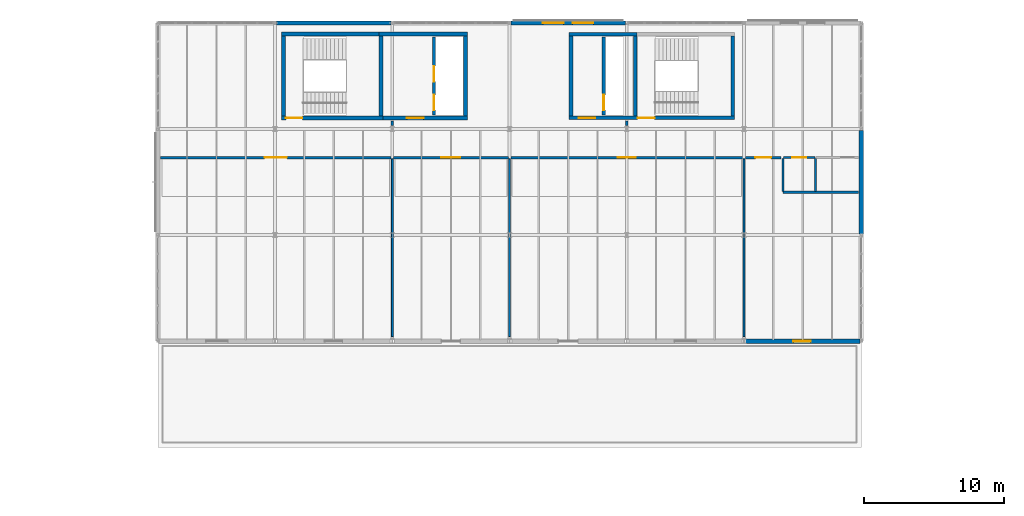
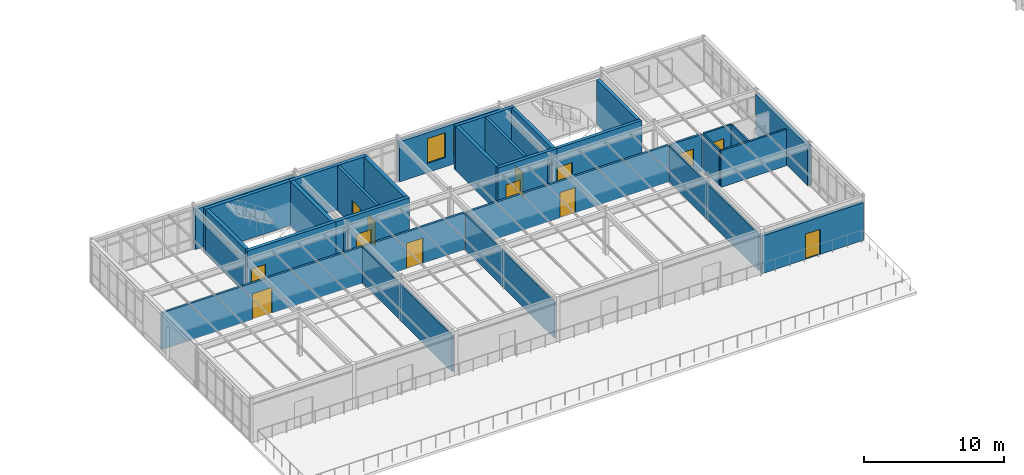
# One storey, part 51 of 65: 32 walls, 13 doors, 2 windows, 15 openings.
"""IFC4 building model written with IfcOpenShell, lengths in metres."""

from ifc_helpers import new_model, si_unit, direction, frame, frame_2d, origin, place, context, subcontext, project, spatial, rectangle, extrude, material, layer, layer_set, type_object, element, fill, save


model = new_model("IFC4")

# Units and contexts
model_context = context("Model", 3, precision=1e-05, world=origin(), true_north=direction((0.0, 1.0)))
body_context = subcontext(model_context, "Body", "Model", "MODEL_VIEW")
ifc_project = project(units=[si_unit("LENGTHUNIT", "METRE"), si_unit("AREAUNIT", "SQUARE_METRE"), si_unit("VOLUMEUNIT", "CUBIC_METRE"), si_unit("PLANEANGLEUNIT", "RADIAN"), si_unit("MASSUNIT", "GRAM", prefix="KILO")], contexts=[model_context])

# Site, building, storey
site_placement = place(None, origin())
site = spatial("IfcSite", under=ifc_project, at=site_placement, CompositionType="ELEMENT")
building_placement = place(site_placement, origin())
building = spatial("IfcBuilding", under=site, at=building_placement, Name="Montecoro Central Library", CompositionType="ELEMENT")
storey_placement = place(building_placement, frame((0.0, 0.0, 17.340087890625)))
storey = spatial("IfcBuildingStorey", under=building, at=storey_placement, Name="L04", CompositionType="ELEMENT", Elevation=17.340087890625)

# Wall, opening, door
ifc_material_1 = material(Name="Roman travertine stone clad concrete C35/45", Category="masonry")
ifc_layer_1 = layer(ifc_material_1, 0.31005859375)
ifc_layer_set_1 = layer_set([ifc_layer_1], Name="Roman travertine stone clad concrete C35/45")
wall_type_1 = type_object("IfcWallType", Name="EW-TRV-310", PredefinedType="SOLIDWALL", material=ifc_layer_set_1)
wall_1_placement = place(storey_placement, frame((108.405029296875, 96.199951171875, 0.0), z_axis=(0.0, 0.0, 1.0), x_axis=(1.0, 0.0, 0.0)))
wall_1 = element("IfcWall", 1, at=wall_1_placement, inside=storey, type_object=wall_type_1, Name="V2-L04-EW-S5", PredefinedType="SOLIDWALL", context=body_context, shape_type="SweptSolid", body=[
    extrude(rectangle(XDim=8.302001953125, YDim=0.31005859375, at=frame_2d((4.15087890625, 0.0))), origin(), (0.0, 0.0, 1.0), 3.27001953125),
])
opening_1_placement = place(wall_1_placement, frame((3.52587890625, 0.0, 0.0)))
opening_1 = element("IfcOpeningElement", 2, at=opening_1_placement, cuts=wall_1, Name="Opening ED-09", PredefinedType="OPENING", context=body_context, shape_type="SweptSolid", body=[
    extrude(rectangle(XDim=1.25, YDim=2.199951171875, at=frame_2d((0.625, 1.10009765625))), frame((0.0, 0.1650390625, 0.0), z_axis=(0.0, -1.0, 0.0), x_axis=(1.0, 0.0, 0.0)), (0.0, 0.0, 1.0), 0.330078125),
])
ifc_material_2 = material(Name="Thermally broken architectural bronze and safety glass", Category="glass")
door_type_1 = type_object("IfcDoorType", Name="ED-TER-125", OperationType="NOTDEFINED", PredefinedType="DOOR", material=ifc_material_2)
door_1_placement = place(opening_1_placement, origin())
door_1 = element("IfcDoor", 3, at=door_1_placement, inside=storey, type_object=door_type_1, Name="V2-L04-TD-S5", OperationType="SINGLE_SWING_LEFT", OverallHeight=2.199951171875, OverallWidth=1.25, PredefinedType="DOOR", context=body_context, shape_type="SweptSolid", body=[
    extrude(rectangle(XDim=1.25, YDim=2.199951171875, at=frame_2d((0.625, 1.10009765625))), frame((0.0, 0.02490234375, 0.0), z_axis=(0.0, -1.0, 0.0), x_axis=(1.0, 0.0, 0.0)), (0.0, 0.0, 1.0), 0.050048828125),
])
fill(opening_1, door_1)

# Wall
wall_2_placement = place(storey_placement, frame((116.800048828125, 103.89306640625, 0.0), z_axis=(0.0, 0.0, 1.0), x_axis=(0.0, 1.0, 0.0)))
element("IfcWall", 4, at=wall_2_placement, inside=storey, type_object=wall_type_1, Name="V2-L04-EW-E1", PredefinedType="SOLIDWALL", context=body_context, shape_type="SweptSolid", body=[
    extrude(rectangle(XDim=7.413818359375, YDim=0.31005859375, at=frame_2d((3.70703125, 0.0))), origin(), (0.0, 0.0, 1.0), 3.47998046875),
])

# Wall, openings, windows
wall_3_placement = place(storey_placement, frame((99.906982421875, 119.0, 0.0), z_axis=(0.0, 0.0, 1.0), x_axis=(-1.0, 0.0, 0.0)))
wall_3 = element("IfcWall", 5, at=wall_3_placement, inside=storey, type_object=wall_type_1, Name="V2-L04-EW-N3", PredefinedType="SOLIDWALL", context=body_context, shape_type="SweptSolid", body=[
    extrude(rectangle(XDim=8.2138671875, YDim=0.31005859375, at=frame_2d((4.10693359375, 0.0))), origin(), (0.0, 0.0, 1.0), 3.47998046875),
])
opening_2_placement = place(wall_3_placement, frame((2.302001953125, 0.0, 0.800048828125)))
opening_2 = element("IfcOpeningElement", 6, at=opening_2_placement, cuts=wall_3, Name="Opening WN-25", PredefinedType="OPENING", context=body_context, shape_type="SweptSolid", body=[
    extrude(rectangle(XDim=1.47998046875, YDim=2.159912109375, at=frame_2d((0.739990234375, 1.080078125))), frame((0.0, 0.1650390625, 0.0), z_axis=(0.0, -1.0, 0.0), x_axis=(1.0, 0.0, 0.0)), (0.0, 0.0, 1.0), 0.330078125),
])
opening_3_placement = place(wall_3_placement, frame((4.431884765625, 0.0, 0.800048828125)))
opening_3 = element("IfcOpeningElement", 7, at=opening_3_placement, cuts=wall_3, Name="Opening WN-25", PredefinedType="OPENING", context=body_context, shape_type="SweptSolid", body=[
    extrude(rectangle(XDim=1.47998046875, YDim=2.159912109375, at=frame_2d((0.739990234375, 1.080078125))), frame((0.0, 0.1650390625, 0.0), z_axis=(0.0, -1.0, 0.0), x_axis=(1.0, 0.0, 0.0)), (0.0, 0.0, 1.0), 0.330078125),
])
ifc_material_3 = material(Name="Laminated low-E double glazing", Category="glass")
window_type = type_object("IfcWindowType", Name="WN-RDG-148", PartitioningType="SINGLE_PANEL", PredefinedType="WINDOW", material=ifc_material_3)
window_1_placement = place(opening_2_placement, origin())
window_1 = element("IfcWindow", 8, at=window_1_placement, inside=storey, type_object=window_type, Name="V2-L04-WN-N3-1", OverallHeight=2.159912109375, OverallWidth=1.47998046875, PartitioningType="SINGLE_PANEL", PredefinedType="WINDOW", context=body_context, shape_type="SweptSolid", body=[
    extrude(rectangle(XDim=1.47998046875, YDim=2.159912109375, at=frame_2d((0.739990234375, 1.080078125))), frame((0.0, 0.030029296875, 0.0), z_axis=(0.0, -1.0, 0.0), x_axis=(1.0, 0.0, 0.0)), (0.0, 0.0, 1.0), 0.06005859375),
])
fill(opening_2, window_1)
window_2_placement = place(opening_3_placement, origin())
window_2 = element("IfcWindow", 9, at=window_2_placement, inside=storey, type_object=window_type, Name="V2-L04-WN-N3-2", OverallHeight=2.159912109375, OverallWidth=1.47998046875, PartitioningType="SINGLE_PANEL", PredefinedType="WINDOW", context=body_context, shape_type="SweptSolid", body=[
    extrude(rectangle(XDim=1.47998046875, YDim=2.159912109375, at=frame_2d((0.739990234375, 1.080078125))), frame((0.0, 0.030029296875, 0.0), z_axis=(0.0, -1.0, 0.0), x_axis=(1.0, 0.0, 0.0)), (0.0, 0.0, 1.0), 0.06005859375),
])
fill(opening_3, window_2)

# Wall
wall_4_placement = place(storey_placement, frame((83.10693359375, 119.0, 0.0), z_axis=(0.0, 0.0, 1.0), x_axis=(-1.0, 0.0, 0.0)))
element("IfcWall", 10, at=wall_4_placement, inside=storey, type_object=wall_type_1, Name="V2-L04-EW-N1", PredefinedType="SOLIDWALL", context=body_context, shape_type="SweptSolid", body=[
    extrude(rectangle(XDim=8.2138671875, YDim=0.31005859375, at=frame_2d((4.10693359375, 0.0))), origin(), (0.0, 0.0, 1.0), 3.47998046875),
])

# Wall, opening, door
ifc_material_4 = material(Name="Gypsum fire-rated partition")
ifc_layer_2 = layer(ifc_material_4, 0.179931640625)
ifc_layer_set_2 = layer_set([ifc_layer_2], Name="Gypsum fire-rated partition")
wall_type_2 = type_object("IfcWallType", Name="IW-COR-180", PredefinedType="PARTITIONING", material=ifc_layer_set_2)
wall_5_placement = place(storey_placement, frame((66.60009765625, 109.35009765625, 0.0), z_axis=(0.0, 0.0, 1.0), x_axis=(1.0, 0.0, 0.0)))
wall_5 = element("IfcWall", 11, at=wall_5_placement, inside=storey, type_object=wall_type_2, Name="CORW-V2-L04-01", PredefinedType="PARTITIONING", context=body_context, shape_type="SweptSolid", body=[
    extrude(rectangle(XDim=16.510009765625, YDim=0.179931640625, at=frame_2d((8.2548828125, 0.0))), origin(), (0.0, 0.0, 1.0), 3.179931640625),
])
opening_4_placement = place(wall_5_placement, frame((7.455078125, 0.0, 0.0)))
opening_4 = element("IfcOpeningElement", 12, at=opening_4_placement, cuts=wall_5, Name="Opening ID-06", PredefinedType="OPENING", context=body_context, shape_type="SweptSolid", body=[
    extrude(rectangle(XDim=1.60009765625, YDim=2.25, at=frame_2d((0.800048828125, 1.125))), frame((0.0, 0.099853515625, 0.0), z_axis=(0.0, -1.0, 0.0), x_axis=(1.0, 0.0, 0.0)), (0.0, 0.0, 1.0), 0.199951171875),
])
ifc_material_5 = material(Name="Solid oak and fire-rated steel door", Category="steel")
door_type_2 = type_object("IfcDoorType", Name="ID-COR-160", OperationType="NOTDEFINED", PredefinedType="DOOR", material=ifc_material_5)
door_2_placement = place(opening_4_placement, origin())
door_2 = element("IfcDoor", 13, at=door_2_placement, inside=storey, type_object=door_type_2, Name="DR-SP-V2-L04-R1P1", OperationType="DOUBLE_DOOR_SINGLE_SWING", OverallHeight=2.25, OverallWidth=1.60009765625, PredefinedType="DOOR", context=body_context, shape_type="SweptSolid", body=[
    extrude(rectangle(XDim=1.60009765625, YDim=2.25, at=frame_2d((0.800048828125, 1.125))), frame((0.0, 0.02490234375, 0.0), z_axis=(0.0, -1.0, 0.0), x_axis=(1.0, 0.0, 0.0)), (0.0, 0.0, 1.0), 0.050048828125),
])
fill(opening_4, door_2)

wall_6_placement = place(storey_placement, frame((83.2900390625, 109.35009765625, 0.0), z_axis=(0.0, 0.0, 1.0), x_axis=(1.0, 0.0, 0.0)))
wall_6 = element("IfcWall", 14, at=wall_6_placement, inside=storey, type_object=wall_type_2, Name="CORW-V2-L04-02", PredefinedType="PARTITIONING", context=body_context, shape_type="SweptSolid", body=[
    extrude(rectangle(XDim=8.219970703125, YDim=0.179931640625, at=frame_2d((4.10986328125, 0.0))), origin(), (0.0, 0.0, 1.0), 3.179931640625),
])
opening_5_placement = place(wall_6_placement, frame((3.429931640625, 0.0, 0.0)))
opening_5 = element("IfcOpeningElement", 15, at=opening_5_placement, cuts=wall_6, Name="Opening ID-05", PredefinedType="OPENING", context=body_context, shape_type="SweptSolid", body=[
    extrude(rectangle(XDim=1.360107421875, YDim=2.199951171875, at=frame_2d((0.68017578125, 1.10009765625))), frame((0.0, 0.099853515625, 0.0), z_axis=(0.0, -1.0, 0.0), x_axis=(1.0, 0.0, 0.0)), (0.0, 0.0, 1.0), 0.199951171875),
])
door_type_3 = type_object("IfcDoorType", Name="ID-VLT-136", OperationType="NOTDEFINED", PredefinedType="DOOR", material=ifc_material_5)
door_3_placement = place(opening_5_placement, origin())
door_3 = element("IfcDoor", 16, at=door_3_placement, inside=storey, type_object=door_type_3, Name="DR-SP-V2-L04-R2P1", OperationType="SINGLE_SWING_LEFT", OverallHeight=2.199951171875, OverallWidth=1.360107421875, PredefinedType="DOOR", context=body_context, shape_type="SweptSolid", body=[
    extrude(rectangle(XDim=1.360107421875, YDim=2.199951171875, at=frame_2d((0.68017578125, 1.10009765625))), frame((0.0, 0.02490234375, 0.0), z_axis=(0.0, -1.0, 0.0), x_axis=(1.0, 0.0, 0.0)), (0.0, 0.0, 1.0), 0.050048828125),
])
fill(opening_5, door_3)

wall_7_placement = place(storey_placement, frame((91.68994140625, 109.35009765625, 0.0), z_axis=(0.0, 0.0, 1.0), x_axis=(1.0, 0.0, 0.0)))
wall_7 = element("IfcWall", 17, at=wall_7_placement, inside=storey, type_object=wall_type_2, Name="CORW-V2-L04-03", PredefinedType="PARTITIONING", context=body_context, shape_type="SweptSolid", body=[
    extrude(rectangle(XDim=16.6201171875, YDim=0.179931640625, at=frame_2d((8.31005859375, 0.0))), origin(), (0.0, 0.0, 1.0), 3.179931640625),
])
opening_6_placement = place(wall_7_placement, frame((7.679931640625, 0.0, 0.0)))
opening_6 = element("IfcOpeningElement", 18, at=opening_6_placement, cuts=wall_7, Name="Opening ID-09", PredefinedType="OPENING", context=body_context, shape_type="SweptSolid", body=[
    extrude(rectangle(XDim=1.260009765625, YDim=2.199951171875, at=frame_2d((0.6298828125, 1.10009765625))), frame((0.0, 0.099853515625, 0.0), z_axis=(0.0, -1.0, 0.0), x_axis=(1.0, 0.0, 0.0)), (0.0, 0.0, 1.0), 0.199951171875),
])
door_type_4 = type_object("IfcDoorType", Name="ID-RDG-126", OperationType="NOTDEFINED", PredefinedType="DOOR", material=ifc_material_5)
door_4_placement = place(opening_6_placement, origin())
door_4 = element("IfcDoor", 19, at=door_4_placement, inside=storey, type_object=door_type_4, Name="DR-SP-V2-L04-R3P1", OperationType="SINGLE_SWING_RIGHT", OverallHeight=2.199951171875, OverallWidth=1.260009765625, PredefinedType="DOOR", context=body_context, shape_type="SweptSolid", body=[
    extrude(rectangle(XDim=1.260009765625, YDim=2.199951171875, at=frame_2d((0.6298828125, 1.10009765625))), frame((0.0, 0.02490234375, 0.0), z_axis=(0.0, -1.0, 0.0), x_axis=(1.0, 0.0, 0.0)), (0.0, 0.0, 1.0), 0.050048828125),
])
fill(opening_6, door_4)

wall_8_placement = place(storey_placement, frame((108.489990234375, 109.35009765625, 0.0), z_axis=(0.0, 0.0, 1.0), x_axis=(1.0, 0.0, 0.0)))
wall_8 = element("IfcWall", 20, at=wall_8_placement, inside=storey, type_object=wall_type_2, Name="CORW-V2-L04-04", PredefinedType="PARTITIONING", context=body_context, shape_type="SweptSolid", body=[
    extrude(rectangle(XDim=2.570068359375, YDim=0.179931640625, at=frame_2d((1.28515625, 0.0))), origin(), (0.0, 0.0, 1.0), 3.179931640625),
])
opening_7_placement = place(wall_8_placement, frame((0.72509765625, 0.0, 0.0)))
opening_7 = element("IfcOpeningElement", 21, at=opening_7_placement, cuts=wall_8, Name="Opening ID-12", PredefinedType="OPENING", context=body_context, shape_type="SweptSolid", body=[
    extrude(rectangle(XDim=1.1201171875, YDim=2.14990234375, at=frame_2d((0.56005859375, 1.074951171875))), frame((0.0, 0.099853515625, 0.0), z_axis=(0.0, -1.0, 0.0), x_axis=(1.0, 0.0, 0.0)), (0.0, 0.0, 1.0), 0.199951171875),
])
door_type_5 = type_object("IfcDoorType", Name="ID-RM-112", OperationType="NOTDEFINED", PredefinedType="DOOR", material=ifc_material_5)
door_5_placement = place(opening_7_placement, origin())
door_5 = element("IfcDoor", 22, at=door_5_placement, inside=storey, type_object=door_type_5, Name="DR-SP-V2-L04-R4P1", OperationType="SINGLE_SWING_LEFT", OverallHeight=2.14990234375, OverallWidth=1.1201171875, PredefinedType="DOOR", context=body_context, shape_type="SweptSolid", body=[
    extrude(rectangle(XDim=1.1201171875, YDim=2.14990234375, at=frame_2d((0.56005859375, 1.074951171875))), frame((0.0, 0.02490234375, 0.0), z_axis=(0.0, -1.0, 0.0), x_axis=(1.0, 0.0, 0.0)), (0.0, 0.0, 1.0), 0.050048828125),
])
fill(opening_7, door_5)

# Walls
for number, where, z_axis, x_axis, name in (
    (23, (83.199951171875, 111.639892578125, 0.0), (0.0, 0.0, 1.0), (0.0, 1.0, 0.0), "PIL-V2-L04-1"),
    (24, (100.0, 111.639892578125, 0.0), (0.0, 0.0, 1.0), (0.0, 1.0, 0.0), "PIL-V2-L04-2"),
):
    element("IfcWall", number, at=place(storey_placement, frame(where, z_axis=z_axis, x_axis=x_axis)), inside=storey, type_object=wall_type_2, Name=name, PredefinedType="PARTITIONING", context=body_context, shape_type="SweptSolid", body=[
        extrude(rectangle(XDim=0.320068359375, YDim=0.179931640625, at=frame_2d((0.16015625, 0.0))), origin(), (0.0, 0.0, 1.0), 3.179931640625),
    ])

# Wall, openings, doors
ifc_material_6 = material(Name="Concrete C32/40", Category="concrete")
ifc_layer_3 = layer(ifc_material_6, 0.219970703125)
ifc_layer_set_3 = layer_set([ifc_layer_3], Name="Concrete C32/40")
wall_type_3 = type_object("IfcWallType", Name="IW-FFL-220", PredefinedType="SOLIDWALL", material=ifc_layer_set_3)
wall_9_placement = place(storey_placement, frame((86.199951171875, 112.39990234375, 0.0), z_axis=(0.0, 0.0, 1.0), x_axis=(0.0, 1.0, 0.0)))
wall_9 = element("IfcWall", 25, at=wall_9_placement, inside=storey, type_object=wall_type_3, Name="C2-L04-WLSH", PredefinedType="SOLIDWALL", context=body_context, shape_type="SweptSolid", body=[
    extrude(rectangle(XDim=5.60009765625, YDim=0.219970703125, at=frame_2d((2.800048828125, 0.0))), origin(), (0.0, 0.0, 1.0), 3.844970703125),
])
opening_8_placement = place(wall_9_placement, frame((0.35009765625, 0.0, 0.0)))
opening_8 = element("IfcOpeningElement", 26, at=opening_8_placement, cuts=wall_9, Name="Opening LD-01", PredefinedType="OPENING", context=body_context, shape_type="SweptSolid", body=[
    extrude(rectangle(XDim=1.10009765625, YDim=2.14990234375, at=frame_2d((0.550048828125, 1.074951171875))), frame((0.0, 0.119873046875, 0.0), z_axis=(0.0, -1.0, 0.0), x_axis=(1.0, 0.0, 0.0)), (0.0, 0.0, 1.0), 0.239990234375),
])
opening_9_placement = place(wall_9_placement, frame((2.39990234375, 0.0, 0.0)))
opening_9 = element("IfcOpeningElement", 27, at=opening_9_placement, cuts=wall_9, Name="Opening LD-01", PredefinedType="OPENING", context=body_context, shape_type="SweptSolid", body=[
    extrude(rectangle(XDim=1.10009765625, YDim=2.14990234375, at=frame_2d((0.550048828125, 1.074951171875))), frame((0.0, 0.119873046875, 0.0), z_axis=(0.0, -1.0, 0.0), x_axis=(1.0, 0.0, 0.0)), (0.0, 0.0, 1.0), 0.239990234375),
])
door_type_6 = type_object("IfcDoorType", Name="LD-LIFT-110", OperationType="NOTDEFINED", PredefinedType="DOOR", material=ifc_material_5)
door_6_placement = place(opening_8_placement, origin())
door_6 = element("IfcDoor", 28, at=door_6_placement, inside=storey, type_object=door_type_6, Name="C2-L04-LD-PL-02", OperationType="SLIDING_TO_LEFT", OverallHeight=2.14990234375, OverallWidth=1.10009765625, PredefinedType="DOOR", context=body_context, shape_type="SweptSolid", body=[
    extrude(rectangle(XDim=1.10009765625, YDim=2.14990234375, at=frame_2d((0.550048828125, 1.074951171875))), frame((0.0, 0.02490234375, 0.0), z_axis=(0.0, -1.0, 0.0), x_axis=(1.0, 0.0, 0.0)), (0.0, 0.0, 1.0), 0.050048828125),
])
fill(opening_8, door_6)
door_7_placement = place(opening_9_placement, origin())
door_7 = element("IfcDoor", 29, at=door_7_placement, inside=storey, type_object=door_type_6, Name="C2-L04-LD-FFL-01", OperationType="SLIDING_TO_LEFT", OverallHeight=2.14990234375, OverallWidth=1.10009765625, PredefinedType="DOOR", context=body_context, shape_type="SweptSolid", body=[
    extrude(rectangle(XDim=1.10009765625, YDim=2.14990234375, at=frame_2d((0.550048828125, 1.074951171875))), frame((0.0, 0.02490234375, 0.0), z_axis=(0.0, -1.0, 0.0), x_axis=(1.0, 0.0, 0.0)), (0.0, 0.0, 1.0), 0.050048828125),
])
fill(opening_9, door_7)

# Wall, opening, door
wall_10_placement = place(storey_placement, frame((98.35009765625, 112.39990234375, 0.0), z_axis=(0.0, 0.0, 1.0), x_axis=(0.0, 1.0, 0.0)))
wall_10 = element("IfcWall", 30, at=wall_10_placement, inside=storey, type_object=wall_type_3, Name="C3-L04-WLSH", PredefinedType="SOLIDWALL", context=body_context, shape_type="SweptSolid", body=[
    extrude(rectangle(XDim=5.60009765625, YDim=0.219970703125, at=frame_2d((2.800048828125, 0.0))), origin(), (0.0, 0.0, 1.0), 3.844970703125),
])
opening_10_placement = place(wall_10_placement, frame((0.35009765625, 0.0, 0.0)))
opening_10 = element("IfcOpeningElement", 31, at=opening_10_placement, cuts=wall_10, Name="Opening LD-01", PredefinedType="OPENING", context=body_context, shape_type="SweptSolid", body=[
    extrude(rectangle(XDim=1.10009765625, YDim=2.14990234375, at=frame_2d((0.550048828125, 1.074951171875))), frame((0.0, 0.119873046875, 0.0), z_axis=(0.0, -1.0, 0.0), x_axis=(1.0, 0.0, 0.0)), (0.0, 0.0, 1.0), 0.239990234375),
])
door_8_placement = place(opening_10_placement, origin())
door_8 = element("IfcDoor", 32, at=door_8_placement, inside=storey, type_object=door_type_6, Name="C3-L04-LD-PL-03", OperationType="SLIDING_TO_LEFT", OverallHeight=2.14990234375, OverallWidth=1.10009765625, PredefinedType="DOOR", context=body_context, shape_type="SweptSolid", body=[
    extrude(rectangle(XDim=1.10009765625, YDim=2.14990234375, at=frame_2d((0.550048828125, 1.074951171875))), frame((0.0, 0.02490234375, 0.0), z_axis=(0.0, -1.0, 0.0), x_axis=(1.0, 0.0, 0.0)), (0.0, 0.0, 1.0), 0.050048828125),
])
fill(opening_10, door_8)

# Walls
ifc_material_7 = material(Name="Gypsum metal-stud partition")
ifc_layer_4 = layer(ifc_material_7, 0.1201171875)
ifc_layer_set_4 = layer_set([ifc_layer_4], Name="Gypsum metal-stud partition")
wall_type_4 = type_object("IfcWallType", Name="IW-PRT-120", PredefinedType="PARTITIONING", material=ifc_layer_set_4)
wall_11_placement = place(storey_placement, frame((91.60009765625, 96.52001953125, 0.0), z_axis=(0.0, 0.0, 1.0), x_axis=(0.0, 1.0, 0.0)))
element("IfcWall", 33, at=wall_11_placement, inside=storey, type_object=wall_type_4, Name="DIVW-V2-L04-02-1", PredefinedType="PARTITIONING", context=body_context, shape_type="SweptSolid", body=[
    extrude(rectangle(XDim=12.739990234375, YDim=0.1201171875, at=frame_2d((6.3701171875, 0.0))), origin(), (0.0, 0.0, 1.0), 3.179931640625),
])
ifc_layer_5 = layer(ifc_material_7, 0.139892578125)
ifc_layer_set_5 = layer_set([ifc_layer_5], Name="Gypsum metal-stud partition")
wall_type_5 = type_object("IfcWallType", Name="IW-PRT-140", PredefinedType="PARTITIONING", material=ifc_layer_set_5)
for number, where, z_axis, x_axis, name in (
    (34, (83.199951171875, 96.52001953125, 0.0), (0.0, 0.0, 1.0), (0.0, 1.0, 0.0), "DIVW-V2-L04-01-1"),
    (35, (108.39990234375, 96.52001953125, 0.0), (0.0, 0.0, 1.0), (0.0, 1.0, 0.0), "DIVW-V2-L04-03-1"),
):
    element("IfcWall", number, at=place(storey_placement, frame(where, z_axis=z_axis, x_axis=x_axis)), inside=storey, type_object=wall_type_5, Name=name, PredefinedType="PARTITIONING", context=body_context, shape_type="SweptSolid", body=[
        extrude(rectangle(XDim=12.739990234375, YDim=0.139892578125, at=frame_2d((6.3701171875, 0.0))), origin(), (0.0, 0.0, 1.0), 3.179931640625),
    ])

# Wall, opening, door
ifc_material_8 = material(Name="Concrete C35/45", Category="concrete")
ifc_layer_6 = layer(ifc_material_8, 0.260009765625)
ifc_layer_set_6 = layer_set([ifc_layer_6], Name="Concrete C35/45")
wall_type_6 = type_object("IfcWallType", Name="IW-SHR-260", PredefinedType="SHEAR", material=ifc_layer_set_6)
wall_12_placement = place(storey_placement, frame((95.8701171875, 112.199951171875, 0.0), z_axis=(0.0, 0.0, 1.0), x_axis=(1.0, 0.0, 0.0)))
wall_12 = element("IfcWall", 36, at=wall_12_placement, inside=storey, type_object=wall_type_6, Name="C3-L04-LWS", PredefinedType="SHEAR", context=body_context, shape_type="SweptSolid", body=[
    extrude(rectangle(XDim=4.85986328125, YDim=0.260009765625, at=frame_2d((2.429931640625, 0.0))), origin(), (0.0, 0.0, 1.0), 3.844970703125),
])
opening_11_placement = place(wall_12_placement, frame((0.679931640625, 0.0, 0.0)))
opening_11 = element("IfcOpeningElement", 37, at=opening_11_placement, cuts=wall_12, Name="Opening ID-03", PredefinedType="OPENING", context=body_context, shape_type="SweptSolid", body=[
    extrude(rectangle(XDim=1.199951171875, YDim=2.159912109375, at=frame_2d((0.60009765625, 1.080078125))), frame((0.0, 0.139892578125, 0.0), z_axis=(0.0, -1.0, 0.0), x_axis=(1.0, 0.0, 0.0)), (0.0, 0.0, 1.0), 0.280029296875),
])
door_type_7 = type_object("IfcDoorType", Name="ID-FFL-120", OperationType="NOTDEFINED", PredefinedType="DOOR", material=ifc_material_5)
door_9_placement = place(opening_11_placement, origin())
door_9 = element("IfcDoor", 38, at=door_9_placement, inside=storey, type_object=door_type_7, Name="C3-L04-DLOB", OperationType="SINGLE_SWING_LEFT", OverallHeight=2.159912109375, OverallWidth=1.199951171875, PredefinedType="DOOR", context=body_context, shape_type="SweptSolid", body=[
    extrude(rectangle(XDim=1.199951171875, YDim=2.159912109375, at=frame_2d((0.60009765625, 1.080078125))), frame((0.0, 0.02490234375, 0.0), z_axis=(0.0, -1.0, 0.0), x_axis=(1.0, 0.0, 0.0)), (0.0, 0.0, 1.0), 0.050048828125),
])
fill(opening_11, door_9)

# Walls
wall_13_placement = place(storey_placement, frame((100.72998046875, 118.199951171875, 0.0), z_axis=(0.0, 0.0, 1.0), x_axis=(-1.0, 0.0, 0.0)))
element("IfcWall", 39, at=wall_13_placement, inside=storey, type_object=wall_type_6, Name="C3-L04-LWN", PredefinedType="SHEAR", context=body_context, shape_type="SweptSolid", body=[
    extrude(rectangle(XDim=4.85986328125, YDim=0.260009765625, at=frame_2d((2.429931640625, 0.0))), origin(), (0.0, 0.0, 1.0), 3.844970703125),
])
wall_14_placement = place(storey_placement, frame((96.0, 118.070068359375, 0.0), z_axis=(0.0, 0.0, 1.0), x_axis=(0.0, -1.0, 0.0)))
element("IfcWall", 40, at=wall_14_placement, inside=storey, type_object=wall_type_6, Name="C3-L04-LWW", PredefinedType="SHEAR", context=body_context, shape_type="SweptSolid", body=[
    extrude(rectangle(XDim=5.739990234375, YDim=0.260009765625, at=frame_2d((2.8701171875, 0.0))), origin(), (0.0, 0.0, 1.0), 3.844970703125),
])

# Wall, opening, door
wall_15_placement = place(storey_placement, frame((100.469970703125, 112.199951171875, 0.0), z_axis=(0.0, 0.0, 1.0), x_axis=(1.0, 0.0, 0.0)))
wall_15 = element("IfcWall", 41, at=wall_15_placement, inside=storey, type_object=wall_type_6, Name="C3-L04-WS", PredefinedType="SHEAR", context=body_context, shape_type="SweptSolid", body=[
    extrude(rectangle(XDim=7.260009765625, YDim=0.260009765625, at=frame_2d((3.6298828125, 0.0))), origin(), (0.0, 0.0, 1.0), 3.844970703125),
])
opening_12_placement = place(wall_15_placement, frame((0.31005859375, 0.0, 0.0)))
opening_12 = element("IfcOpeningElement", 42, at=opening_12_placement, cuts=wall_15, Name="Opening ID-01", PredefinedType="OPENING", context=body_context, shape_type="SweptSolid", body=[
    extrude(rectangle(XDim=1.219970703125, YDim=2.179931640625, at=frame_2d((0.60986328125, 1.08984375))), frame((0.0, 0.139892578125, 0.0), z_axis=(0.0, -1.0, 0.0), x_axis=(1.0, 0.0, 0.0)), (0.0, 0.0, 1.0), 0.280029296875),
])
door_type_8 = type_object("IfcDoorType", Name="ID-STR-140", OperationType="NOTDEFINED", PredefinedType="DOOR", material=ifc_material_5)
door_10_placement = place(opening_12_placement, origin())
door_10 = element("IfcDoor", 43, at=door_10_placement, inside=storey, type_object=door_type_8, Name="C3-L04-DSTR", OperationType="SINGLE_SWING_RIGHT", OverallHeight=2.179931640625, OverallWidth=1.219970703125, PredefinedType="DOOR", context=body_context, shape_type="SweptSolid", body=[
    extrude(rectangle(XDim=1.219970703125, YDim=2.179931640625, at=frame_2d((0.60986328125, 1.08984375))), frame((0.0, 0.02490234375, 0.0), z_axis=(0.0, -1.0, 0.0), x_axis=(1.0, 0.0, 0.0)), (0.0, 0.0, 1.0), 0.050048828125),
])
fill(opening_12, door_10)

# Walls
for number, where, z_axis, x_axis, name in (
    (44, (100.60009765625, 112.330078125, 0.0), (0.0, 0.0, 1.0), (0.0, 1.0, 0.0), "C3-L04-WW"),
    (45, (107.60009765625, 112.330078125, 0.0), (0.0, 0.0, 1.0), (0.0, 1.0, 0.0), "C3-L04-WE"),
):
    element("IfcWall", number, at=place(storey_placement, frame(where, z_axis=z_axis, x_axis=x_axis)), inside=storey, type_object=wall_type_6, Name=name, PredefinedType="SHEAR", context=body_context, shape_type="SweptSolid", body=[
        extrude(rectangle(XDim=5.739990234375, YDim=0.260009765625, at=frame_2d((2.8701171875, 0.0))), origin(), (0.0, 0.0, 1.0), 3.844970703125),
    ])

# Wall, opening, door
ifc_layer_7 = layer(ifc_material_8, 0.280029296875)
ifc_layer_set_7 = layer_set([ifc_layer_7], Name="Concrete C35/45")
wall_type_7 = type_object("IfcWallType", Name="IW-SHR-280", PredefinedType="SHEAR", material=ifc_layer_set_7)
wall_16_placement = place(storey_placement, frame((82.260009765625, 112.199951171875, 0.0), z_axis=(0.0, 0.0, 1.0), x_axis=(1.0, 0.0, 0.0)))
wall_16 = element("IfcWall", 46, at=wall_16_placement, inside=storey, type_object=wall_type_7, Name="C2-L04-LWS", PredefinedType="SHEAR", context=body_context, shape_type="SweptSolid", body=[
    extrude(rectangle(XDim=6.330078125, YDim=0.280029296875, at=frame_2d((3.1650390625, 0.0))), origin(), (0.0, 0.0, 1.0), 3.844970703125),
])
opening_13_placement = place(wall_16_placement, frame((1.989990234375, 0.0, 0.0)))
opening_13 = element("IfcOpeningElement", 47, at=opening_13_placement, cuts=wall_16, Name="Opening ID-03", PredefinedType="OPENING", context=body_context, shape_type="SweptSolid", body=[
    extrude(rectangle(XDim=1.199951171875, YDim=2.159912109375, at=frame_2d((0.60009765625, 1.080078125))), frame((0.0, 0.14990234375, 0.0), z_axis=(0.0, -1.0, 0.0), x_axis=(1.0, 0.0, 0.0)), (0.0, 0.0, 1.0), 0.300048828125),
])
door_11_placement = place(opening_13_placement, origin())
door_11 = element("IfcDoor", 48, at=door_11_placement, inside=storey, type_object=door_type_7, Name="C2-L04-DLOB", OperationType="SINGLE_SWING_LEFT", OverallHeight=2.159912109375, OverallWidth=1.199951171875, PredefinedType="DOOR", context=body_context, shape_type="SweptSolid", body=[
    extrude(rectangle(XDim=1.199951171875, YDim=2.159912109375, at=frame_2d((0.60009765625, 1.080078125))), frame((0.0, 0.02490234375, 0.0), z_axis=(0.0, -1.0, 0.0), x_axis=(1.0, 0.0, 0.0)), (0.0, 0.0, 1.0), 0.050048828125),
])
fill(opening_13, door_11)

# Walls
wall_17_placement = place(storey_placement, frame((88.590087890625, 118.199951171875, 0.0), z_axis=(0.0, 0.0, 1.0), x_axis=(-1.0, 0.0, 0.0)))
element("IfcWall", 49, at=wall_17_placement, inside=storey, type_object=wall_type_7, Name="C2-L04-LWN", PredefinedType="SHEAR", context=body_context, shape_type="SweptSolid", body=[
    extrude(rectangle(XDim=6.330078125, YDim=0.280029296875, at=frame_2d((3.1650390625, 0.0))), origin(), (0.0, 0.0, 1.0), 3.844970703125),
])
wall_18_placement = place(storey_placement, frame((88.449951171875, 112.340087890625, 0.0), z_axis=(0.0, 0.0, 1.0), x_axis=(0.0, 1.0, 0.0)))
element("IfcWall", 50, at=wall_18_placement, inside=storey, type_object=wall_type_7, Name="C2-L04-LWE", PredefinedType="SHEAR", context=body_context, shape_type="SweptSolid", body=[
    extrude(rectangle(XDim=5.719970703125, YDim=0.280029296875, at=frame_2d((2.85986328125, 0.0))), origin(), (0.0, 0.0, 1.0), 3.844970703125),
])

# Wall, opening, door
wall_19_placement = place(storey_placement, frame((75.260009765625, 112.199951171875, 0.0), z_axis=(0.0, 0.0, 1.0), x_axis=(1.0, 0.0, 0.0)))
wall_19 = element("IfcWall", 51, at=wall_19_placement, inside=storey, type_object=wall_type_7, Name="C2-L04-WS", PredefinedType="SHEAR", context=body_context, shape_type="SweptSolid", body=[
    extrude(rectangle(XDim=7.280029296875, YDim=0.280029296875, at=frame_2d((3.64013671875, 0.0))), origin(), (0.0, 0.0, 1.0), 3.844970703125),
])
opening_14_placement = place(wall_19_placement, frame((0.320068359375, 0.0, 0.0)))
opening_14 = element("IfcOpeningElement", 52, at=opening_14_placement, cuts=wall_19, Name="Opening ID-02", PredefinedType="OPENING", context=body_context, shape_type="SweptSolid", body=[
    extrude(rectangle(XDim=1.179931640625, YDim=2.179931640625, at=frame_2d((0.58984375, 1.08984375))), frame((0.0, 0.14990234375, 0.0), z_axis=(0.0, -1.0, 0.0), x_axis=(1.0, 0.0, 0.0)), (0.0, 0.0, 1.0), 0.300048828125),
])
door_type_9 = type_object("IfcDoorType", Name="ID-STR-135", OperationType="NOTDEFINED", PredefinedType="DOOR", material=ifc_material_5)
door_12_placement = place(opening_14_placement, origin())
door_12 = element("IfcDoor", 53, at=door_12_placement, inside=storey, type_object=door_type_9, Name="C2-L04-DSTR", OperationType="SINGLE_SWING_RIGHT", OverallHeight=2.179931640625, OverallWidth=1.179931640625, PredefinedType="DOOR", context=body_context, shape_type="SweptSolid", body=[
    extrude(rectangle(XDim=1.179931640625, YDim=2.179931640625, at=frame_2d((0.58984375, 1.08984375))), frame((0.0, 0.02490234375, 0.0), z_axis=(0.0, -1.0, 0.0), x_axis=(1.0, 0.0, 0.0)), (0.0, 0.0, 1.0), 0.050048828125),
])
fill(opening_14, door_12)

# Walls
wall_20_placement = place(storey_placement, frame((75.260009765625, 118.199951171875, 0.0), z_axis=(0.0, 0.0, 1.0), x_axis=(1.0, 0.0, 0.0)))
element("IfcWall", 54, at=wall_20_placement, inside=storey, type_object=wall_type_7, Name="C2-L04-WN", PredefinedType="SHEAR", context=body_context, shape_type="SweptSolid", body=[
    extrude(rectangle(XDim=7.280029296875, YDim=0.280029296875, at=frame_2d((3.64013671875, 0.0))), origin(), (0.0, 0.0, 1.0), 3.844970703125),
])
for number, where, z_axis, x_axis, name in (
    (55, (75.39990234375, 112.340087890625, 0.0), (0.0, 0.0, 1.0), (0.0, 1.0, 0.0), "C2-L04-WW"),
    (56, (82.39990234375, 112.340087890625, 0.0), (0.0, 0.0, 1.0), (0.0, 1.0, 0.0), "C2-L04-WE"),
):
    element("IfcWall", number, at=place(storey_placement, frame(where, z_axis=z_axis, x_axis=x_axis)), inside=storey, type_object=wall_type_7, Name=name, PredefinedType="SHEAR", context=body_context, shape_type="SweptSolid", body=[
        extrude(rectangle(XDim=5.719970703125, YDim=0.280029296875, at=frame_2d((2.85986328125, 0.0))), origin(), (0.0, 0.0, 1.0), 3.844970703125),
    ])
ifc_material_9 = material(Name="Moisture-resistant ceramic-tiled partition")
ifc_layer_8 = layer(ifc_material_9, 0.14990234375)
ifc_layer_set_8 = layer_set([ifc_layer_8], Name="Moisture-resistant ceramic-tiled partition")
wall_type_8 = type_object("IfcWallType", Name="IW-WET-150", PredefinedType="PARTITIONING", material=ifc_layer_set_8)
wall_21_placement = place(storey_placement, frame((111.179931640625, 106.8701171875, 0.0), z_axis=(0.0, 0.0, 1.0), x_axis=(1.0, 0.0, 0.0)))
element("IfcWall", 57, at=wall_21_placement, inside=storey, type_object=wall_type_8, Name="WC-V2-L04-WBK", PredefinedType="PARTITIONING", context=body_context, shape_type="SweptSolid", body=[
    extrude(rectangle(XDim=5.420166015625, YDim=0.14990234375, at=frame_2d((2.7099609375, 0.0))), origin(), (0.0, 0.0, 1.0), 3.179931640625),
])
for number, where, z_axis, x_axis, name in (
    (58, (111.179931640625, 106.929931640625, 0.0), (0.0, 0.0, 1.0), (0.0, 1.0, 0.0), "WC-V2-L04-WW"),
    (59, (113.530029296875, 106.929931640625, 0.0), (0.0, 0.0, 1.0), (0.0, 1.0, 0.0), "WC-V2-L04-WM"),
):
    element("IfcWall", number, at=place(storey_placement, frame(where, z_axis=z_axis, x_axis=x_axis)), inside=storey, type_object=wall_type_8, Name=name, PredefinedType="PARTITIONING", context=body_context, shape_type="SweptSolid", body=[
        extrude(rectangle(XDim=2.360107421875, YDim=0.14990234375, at=frame_2d((1.18017578125, 0.0))), origin(), (0.0, 0.0, 1.0), 3.179931640625),
    ])

# Wall, opening, door
wall_22_placement = place(storey_placement, frame((111.239990234375, 109.35009765625, 0.0), z_axis=(0.0, 0.0, 1.0), x_axis=(1.0, 0.0, 0.0)))
wall_22 = element("IfcWall", 60, at=wall_22_placement, inside=storey, type_object=wall_type_8, Name="WC-V2-L04-WFA", PredefinedType="PARTITIONING", context=body_context, shape_type="SweptSolid", body=[
    extrude(rectangle(XDim=2.25, YDim=0.14990234375, at=frame_2d((1.125, 0.0))), origin(), (0.0, 0.0, 1.0), 3.179931640625),
])
opening_15_placement = place(wall_22_placement, frame((0.625, 0.0, 0.0)))
opening_15 = element("IfcOpeningElement", 61, at=opening_15_placement, cuts=wall_22, Name="Opening ID-15", PredefinedType="OPENING", context=body_context, shape_type="SweptSolid", body=[
    extrude(rectangle(XDim=1.0, YDim=2.14990234375, at=frame_2d((0.5, 1.074951171875))), frame((0.0, 0.0849609375, 0.0), z_axis=(0.0, -1.0, 0.0), x_axis=(1.0, 0.0, 0.0)), (0.0, 0.0, 1.0), 0.169921875),
])
door_type_10 = type_object("IfcDoorType", Name="ID-AWC-100", OperationType="NOTDEFINED", PredefinedType="DOOR", material=ifc_material_5)
door_13_placement = place(opening_15_placement, origin())
door_13 = element("IfcDoor", 62, at=door_13_placement, inside=storey, type_object=door_type_10, Name="DR-SP-V2-L04-AWC", OperationType="SINGLE_SWING_LEFT", OverallHeight=2.14990234375, OverallWidth=1.0, PredefinedType="DOOR", context=body_context, shape_type="SweptSolid", body=[
    extrude(rectangle(XDim=1.0, YDim=2.14990234375, at=frame_2d((0.5, 1.074951171875))), frame((0.0, 0.02490234375, 0.0), z_axis=(0.0, -1.0, 0.0), x_axis=(1.0, 0.0, 0.0)), (0.0, 0.0, 1.0), 0.050048828125),
])
fill(opening_15, door_13)

save(model, "model.ifc")
